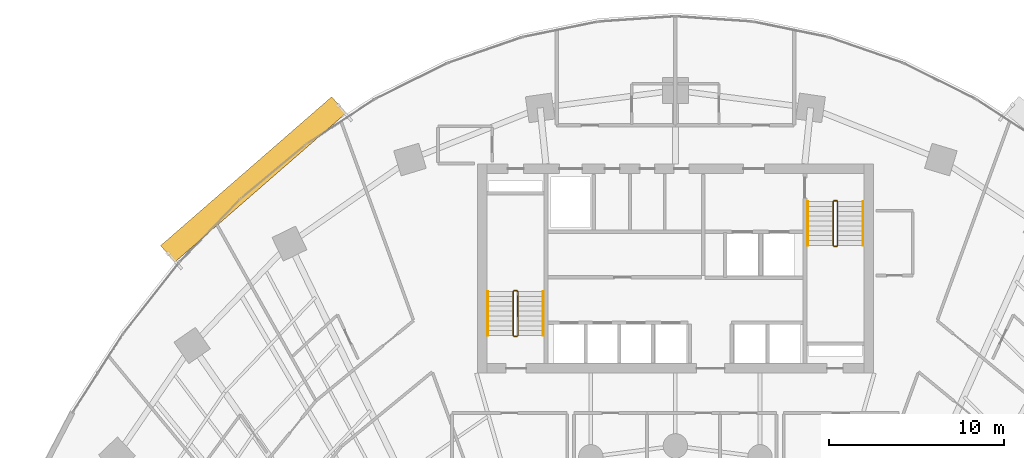
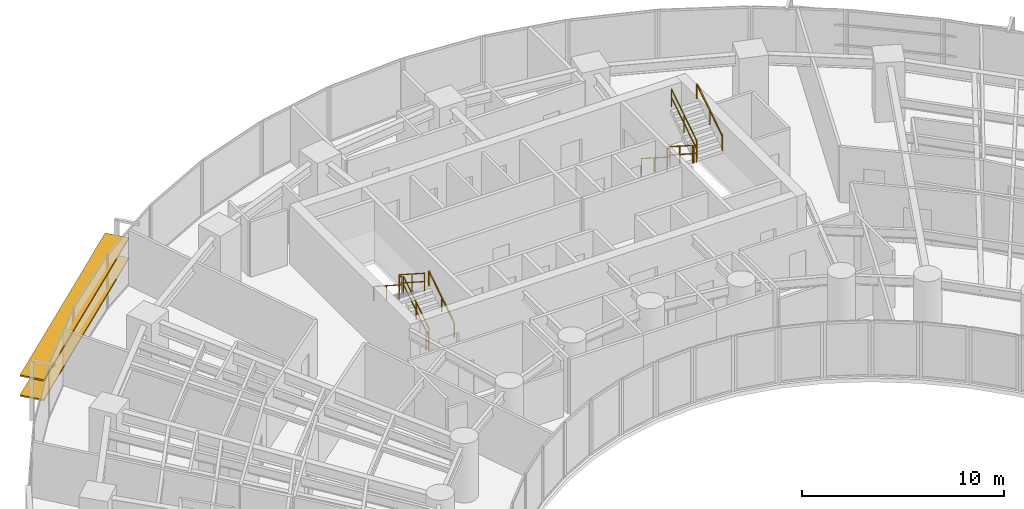
# One storey, part 16 of 17: 12 railings, 2 shading devices.
"""IFC4 building model written with IfcOpenShell, lengths in metres."""

from ifc_helpers import new_model, si_unit, direction, frame, origin, origin_2d, place, context, subcontext, project, spatial, rectangle, extrude, source, transform, mapped, material, material_profile, profile_set, type_object, type_shapes, element, save


model = new_model("IFC4")

# Units and contexts
model_context = context("Model", 3, precision=1e-05, world=origin(), true_north=direction((0.0, 1.0)))
body_context = subcontext(model_context, "Body", "Model", "MODEL_VIEW")
ifc_project = project(units=[si_unit("LENGTHUNIT", "METRE"), si_unit("AREAUNIT", "SQUARE_METRE"), si_unit("VOLUMEUNIT", "CUBIC_METRE"), si_unit("PLANEANGLEUNIT", "RADIAN"), si_unit("MASSUNIT", "GRAM", prefix="KILO")], contexts=[model_context])

# Site, building, storey
site_placement = place(None, origin())
site = spatial("IfcSite", under=ifc_project, at=site_placement, CompositionType="ELEMENT")
building_placement = place(site_placement, origin())
building = spatial("IfcBuilding", under=site, at=building_placement, Name="Breltana Convention Tower", CompositionType="ELEMENT")
storey_placement = place(building_placement, frame((0.0, 0.0, 53.39990234375)))
storey = spatial("IfcBuildingStorey", under=building, at=storey_placement, Name="L11", CompositionType="ELEMENT", Elevation=53.39990234375)

# Railings
ifc_material_1 = material(Name="Steel S275 Painted", Category="steel")
railing_type_1 = type_object("IfcRailingType", Name="RL-STAIR-GUARD-1100", PredefinedType="GUARDRAIL", material=ifc_material_1)
railing_1_placement = place(storey_placement, frame((38.9599609375, 62.360107421875, 0.18017578125)))
element("IfcRailing", 1, at=railing_1_placement, inside=storey, type_object=railing_type_1, Name="L11 ST-1 stair guard 1", PredefinedType="GUARDRAIL", context=body_context, shape_type="SweptSolid", body=[
    extrude(rectangle(XDim=0.048095703125, YDim=0.048095703125, at=origin_2d()), frame((0.0, 0.0, 1.076171875), z_axis=(0.0, 0.841175827307, 0.540761710511), x_axis=(-1.0, 0.0, 0.0)), (0.0, 0.0, 1.0), 2.99560546875),
    extrude(rectangle(XDim=0.048095703125, YDim=0.048095703125, at=origin_2d()), frame((0.0, 0.0, 0.572021484375), z_axis=(0.0, 0.841175827307, 0.540761710511), x_axis=(-1.0, 0.0, 0.0)), (0.0, 0.0, 1.0), 2.99560546875),
    extrude(rectangle(XDim=0.0419921875, YDim=0.0419921875, at=origin_2d()), origin(), (0.0, 0.0, 1.0), 1.052001953125),
    extrude(rectangle(XDim=0.0419921875, YDim=0.0419921875, at=origin_2d()), frame((0.0, 1.259765625, 0.81005859375)), (0.0, 0.0, 1.0), 1.052001953125),
    extrude(rectangle(XDim=0.0419921875, YDim=0.0419921875, at=origin_2d()), frame((0.0, 2.519775390625, 1.619873046875)), (0.0, 0.0, 1.0), 1.052001953125),
])
railing_2_placement = place(storey_placement, frame((38.909912109375, 64.929931640625, 1.800048828125)))
element("IfcRailing", 2, at=railing_2_placement, inside=storey, type_object=railing_type_1, Name="L11 ST-1 stair guard 2", PredefinedType="GUARDRAIL", context=body_context, shape_type="SweptSolid", body=[
    extrude(rectangle(XDim=0.048095703125, YDim=0.048095703125, at=origin_2d()), frame((0.0, 0.0, 1.076171875), z_axis=(-1.0, 0.0, 0.0), x_axis=(0.0, -1.0, 0.0)), (0.0, 0.0, 1.0), 0.14990234375),
    extrude(rectangle(XDim=0.048095703125, YDim=0.048095703125, at=origin_2d()), frame((0.0, 0.0, 0.572021484375), z_axis=(-1.0, 0.0, 0.0), x_axis=(0.0, -1.0, 0.0)), (0.0, 0.0, 1.0), 0.14990234375),
    extrude(rectangle(XDim=0.0419921875, YDim=0.0419921875, at=origin_2d()), origin(), (0.0, 0.0, 1.0), 1.052001953125),
    extrude(rectangle(XDim=0.0419921875, YDim=0.0419921875, at=origin_2d()), frame((-0.14990234375, 0.0, 0.0)), (0.0, 0.0, 1.0), 1.052001953125),
])
railing_3_placement = place(storey_placement, frame((38.7099609375, 64.8798828125, 1.97998046875)))
element("IfcRailing", 3, at=railing_3_placement, inside=storey, type_object=railing_type_1, Name="L11 ST-1 stair guard 3", PredefinedType="GUARDRAIL", context=body_context, shape_type="SweptSolid", body=[
    extrude(rectangle(XDim=0.048095703125, YDim=0.048095703125, at=origin_2d()), frame((0.0, 0.0, 1.076171875), z_axis=(0.0, -0.841138753965, 0.540819375188), x_axis=(1.0, 0.0, 0.0)), (0.0, 0.0, 1.0), 2.99560546875),
    extrude(rectangle(XDim=0.048095703125, YDim=0.048095703125, at=origin_2d()), frame((0.0, 0.0, 0.572021484375), z_axis=(0.0, -0.841138753965, 0.540819375188), x_axis=(1.0, 0.0, 0.0)), (0.0, 0.0, 1.0), 2.99560546875),
    extrude(rectangle(XDim=0.0419921875, YDim=0.0419921875, at=origin_2d()), origin(), (0.0, 0.0, 1.0), 1.052001953125),
    extrude(rectangle(XDim=0.0419921875, YDim=0.0419921875, at=origin_2d()), frame((0.0, -1.259765625, 0.81005859375)), (0.0, 0.0, 1.0), 1.052001953125),
    extrude(rectangle(XDim=0.0419921875, YDim=0.0419921875, at=origin_2d()), frame((0.0, -2.519775390625, 1.6201171875)), (0.0, 0.0, 1.0), 1.052001953125),
])
railing_4_placement = place(storey_placement, frame((38.909912109375, 62.31005859375, 0.0)))
element("IfcRailing", 4, at=railing_4_placement, inside=storey, type_object=railing_type_1, Name="L11 ST-1 stair guard 4", PredefinedType="GUARDRAIL", context=body_context, shape_type="SweptSolid", body=[
    extrude(rectangle(XDim=0.048095703125, YDim=0.048095703125, at=origin_2d()), frame((0.0, 0.0, 1.076171875), z_axis=(-1.0, 0.0, 0.0), x_axis=(0.0, -1.0, 0.0)), (0.0, 0.0, 1.0), 0.14990234375),
    extrude(rectangle(XDim=0.048095703125, YDim=0.048095703125, at=origin_2d()), frame((0.0, 0.0, 0.572021484375), z_axis=(-1.0, 0.0, 0.0), x_axis=(0.0, -1.0, 0.0)), (0.0, 0.0, 1.0), 0.14990234375),
    extrude(rectangle(XDim=0.0419921875, YDim=0.0419921875, at=origin_2d()), origin(), (0.0, 0.0, 1.0), 1.052001953125),
    extrude(rectangle(XDim=0.0419921875, YDim=0.0419921875, at=origin_2d()), frame((-0.14990234375, 0.0, 0.0)), (0.0, 0.0, 1.0), 1.052001953125),
])
railing_5_placement = place(storey_placement, frame((57.0400390625, 70.0400390625, 0.18017578125)))
element("IfcRailing", 5, at=railing_5_placement, inside=storey, type_object=railing_type_1, Name="L11 ST-2 stair guard 1", PredefinedType="GUARDRAIL", context=body_context, shape_type="SweptSolid", body=[
    extrude(rectangle(XDim=0.048095703125, YDim=0.048095703125, at=origin_2d()), frame((0.0, 0.0, 1.076171875), z_axis=(0.0, -0.841199657755, 0.540724639528), x_axis=(1.0, 0.0, 0.0)), (0.0, 0.0, 1.0), 2.995849609375),
    extrude(rectangle(XDim=0.048095703125, YDim=0.048095703125, at=origin_2d()), frame((0.0, 0.0, 0.572021484375), z_axis=(0.0, -0.841199657755, 0.540724639528), x_axis=(1.0, 0.0, 0.0)), (0.0, 0.0, 1.0), 2.995849609375),
    extrude(rectangle(XDim=0.0419921875, YDim=0.0419921875, at=origin_2d()), origin(), (0.0, 0.0, 1.0), 1.052001953125),
    extrude(rectangle(XDim=0.0419921875, YDim=0.0419921875, at=origin_2d()), frame((0.0, -1.260009765625, 0.81005859375)), (0.0, 0.0, 1.0), 1.052001953125),
    extrude(rectangle(XDim=0.0419921875, YDim=0.0419921875, at=origin_2d()), frame((0.0, -2.52001953125, 1.619873046875)), (0.0, 0.0, 1.0), 1.052001953125),
])
railing_6_placement = place(storey_placement, frame((57.090087890625, 67.469970703125, 1.800048828125)))
element("IfcRailing", 6, at=railing_6_placement, inside=storey, type_object=railing_type_1, Name="L11 ST-2 stair guard 2", PredefinedType="GUARDRAIL", context=body_context, shape_type="SweptSolid", body=[
    extrude(rectangle(XDim=0.048095703125, YDim=0.048095703125, at=origin_2d()), frame((0.0, 0.0, 1.076171875), z_axis=(1.0, 0.0, 0.0), x_axis=(0.0, 1.0, 0.0)), (0.0, 0.0, 1.0), 0.14990234375),
    extrude(rectangle(XDim=0.048095703125, YDim=0.048095703125, at=origin_2d()), frame((0.0, 0.0, 0.572021484375), z_axis=(1.0, 0.0, 0.0), x_axis=(0.0, 1.0, 0.0)), (0.0, 0.0, 1.0), 0.14990234375),
    extrude(rectangle(XDim=0.0419921875, YDim=0.0419921875, at=origin_2d()), origin(), (0.0, 0.0, 1.0), 1.052001953125),
    extrude(rectangle(XDim=0.0419921875, YDim=0.0419921875, at=origin_2d()), frame((0.14990234375, 0.0, 0.0)), (0.0, 0.0, 1.0), 1.052001953125),
])
railing_7_placement = place(storey_placement, frame((57.2900390625, 67.52001953125, 1.97998046875)))
element("IfcRailing", 7, at=railing_7_placement, inside=storey, type_object=railing_type_1, Name="L11 ST-2 stair guard 3", PredefinedType="GUARDRAIL", context=body_context, shape_type="SweptSolid", body=[
    extrude(rectangle(XDim=0.048095703125, YDim=0.048095703125, at=origin_2d()), frame((0.0, 0.0, 1.076171875), z_axis=(0.0, 0.841162588446, 0.540782303519), x_axis=(-1.0, 0.0, 0.0)), (0.0, 0.0, 1.0), 2.995849609375),
    extrude(rectangle(XDim=0.048095703125, YDim=0.048095703125, at=origin_2d()), frame((0.0, 0.0, 0.572021484375), z_axis=(0.0, 0.841162588446, 0.540782303519), x_axis=(-1.0, 0.0, 0.0)), (0.0, 0.0, 1.0), 2.995849609375),
    extrude(rectangle(XDim=0.0419921875, YDim=0.0419921875, at=origin_2d()), origin(), (0.0, 0.0, 1.0), 1.052001953125),
    extrude(rectangle(XDim=0.0419921875, YDim=0.0419921875, at=origin_2d()), frame((0.0, 1.260009765625, 0.81005859375)), (0.0, 0.0, 1.0), 1.052001953125),
    extrude(rectangle(XDim=0.0419921875, YDim=0.0419921875, at=origin_2d()), frame((0.0, 2.52001953125, 1.6201171875)), (0.0, 0.0, 1.0), 1.052001953125),
])
railing_8_placement = place(storey_placement, frame((57.090087890625, 70.090087890625, 0.0)))
element("IfcRailing", 8, at=railing_8_placement, inside=storey, type_object=railing_type_1, Name="L11 ST-2 stair guard 4", PredefinedType="GUARDRAIL", context=body_context, shape_type="SweptSolid", body=[
    extrude(rectangle(XDim=0.048095703125, YDim=0.048095703125, at=origin_2d()), frame((0.0, 0.0, 1.076171875), z_axis=(1.0, 0.0, 0.0), x_axis=(0.0, 1.0, 0.0)), (0.0, 0.0, 1.0), 0.14990234375),
    extrude(rectangle(XDim=0.048095703125, YDim=0.048095703125, at=origin_2d()), frame((0.0, 0.0, 0.572021484375), z_axis=(1.0, 0.0, 0.0), x_axis=(0.0, 1.0, 0.0)), (0.0, 0.0, 1.0), 0.14990234375),
    extrude(rectangle(XDim=0.0419921875, YDim=0.0419921875, at=origin_2d()), origin(), (0.0, 0.0, 1.0), 1.052001953125),
    extrude(rectangle(XDim=0.0419921875, YDim=0.0419921875, at=origin_2d()), frame((0.14990234375, 0.0, 0.0)), (0.0, 0.0, 1.0), 1.052001953125),
])
ifc_material_2 = material(Name="Stainless Steel 316L", Category="steel")
railing_type_2 = type_object("IfcRailingType", Name="RL-STAIR-HANDRAIL-900", PredefinedType="HANDRAIL", material=ifc_material_2)
railing_9_placement = place(storey_placement, frame((40.419921875, 62.360107421875, 0.18017578125)))
element("IfcRailing", 9, at=railing_9_placement, inside=storey, type_object=railing_type_2, Name="L11 ST-1 stair handrail 1", PredefinedType="HANDRAIL", context=body_context, shape_type="SweptSolid", body=[
    extrude(rectangle(XDim=0.048095703125, YDim=0.048095703125, at=origin_2d()), frame((0.0, 0.0, 0.8759765625), z_axis=(0.0, 0.841175827307, 0.540761710511), x_axis=(-1.0, 0.0, 0.0)), (0.0, 0.0, 1.0), 2.99560546875),
    extrude(rectangle(XDim=0.0419921875, YDim=0.0419921875, at=origin_2d()), origin(), (0.0, 0.0, 1.0), 0.851806640625),
    extrude(rectangle(XDim=0.0419921875, YDim=0.0419921875, at=origin_2d()), frame((0.0, 1.259765625, 0.81005859375)), (0.0, 0.0, 1.0), 0.851806640625),
    extrude(rectangle(XDim=0.0419921875, YDim=0.0419921875, at=origin_2d()), frame((0.0, 2.519775390625, 1.619873046875)), (0.0, 0.0, 1.0), 0.851806640625),
])
railing_10_placement = place(storey_placement, frame((37.25, 64.8798828125, 1.97998046875)))
element("IfcRailing", 10, at=railing_10_placement, inside=storey, type_object=railing_type_2, Name="L11 ST-1 stair handrail 2", PredefinedType="HANDRAIL", context=body_context, shape_type="SweptSolid", body=[
    extrude(rectangle(XDim=0.048095703125, YDim=0.048095703125, at=origin_2d()), frame((0.0, 0.0, 0.8759765625), z_axis=(0.0, -0.841138753965, 0.540819375188), x_axis=(1.0, 0.0, 0.0)), (0.0, 0.0, 1.0), 2.99560546875),
    extrude(rectangle(XDim=0.0419921875, YDim=0.0419921875, at=origin_2d()), origin(), (0.0, 0.0, 1.0), 0.851806640625),
    extrude(rectangle(XDim=0.0419921875, YDim=0.0419921875, at=origin_2d()), frame((0.0, -1.259765625, 0.81005859375)), (0.0, 0.0, 1.0), 0.851806640625),
    extrude(rectangle(XDim=0.0419921875, YDim=0.0419921875, at=origin_2d()), frame((0.0, -2.519775390625, 1.6201171875)), (0.0, 0.0, 1.0), 0.851806640625),
])
railing_11_placement = place(storey_placement, frame((55.580078125, 70.0400390625, 0.18017578125)))
element("IfcRailing", 11, at=railing_11_placement, inside=storey, type_object=railing_type_2, Name="L11 ST-2 stair handrail 1", PredefinedType="HANDRAIL", context=body_context, shape_type="SweptSolid", body=[
    extrude(rectangle(XDim=0.048095703125, YDim=0.048095703125, at=origin_2d()), frame((0.0, 0.0, 0.8759765625), z_axis=(0.0, -0.841199657755, 0.540724639528), x_axis=(1.0, 0.0, 0.0)), (0.0, 0.0, 1.0), 2.995849609375),
    extrude(rectangle(XDim=0.0419921875, YDim=0.0419921875, at=origin_2d()), origin(), (0.0, 0.0, 1.0), 0.851806640625),
    extrude(rectangle(XDim=0.0419921875, YDim=0.0419921875, at=origin_2d()), frame((0.0, -1.260009765625, 0.81005859375)), (0.0, 0.0, 1.0), 0.851806640625),
    extrude(rectangle(XDim=0.0419921875, YDim=0.0419921875, at=origin_2d()), frame((0.0, -2.52001953125, 1.619873046875)), (0.0, 0.0, 1.0), 0.851806640625),
])
railing_12_placement = place(storey_placement, frame((58.75, 67.52001953125, 1.97998046875)))
element("IfcRailing", 12, at=railing_12_placement, inside=storey, type_object=railing_type_2, Name="L11 ST-2 stair handrail 2", PredefinedType="HANDRAIL", context=body_context, shape_type="SweptSolid", body=[
    extrude(rectangle(XDim=0.048095703125, YDim=0.048095703125, at=origin_2d()), frame((0.0, 0.0, 0.8759765625), z_axis=(0.0, 0.841162588446, 0.540782303519), x_axis=(-1.0, 0.0, 0.0)), (0.0, 0.0, 1.0), 2.995849609375),
    extrude(rectangle(XDim=0.0419921875, YDim=0.0419921875, at=origin_2d()), origin(), (0.0, 0.0, 1.0), 0.851806640625),
    extrude(rectangle(XDim=0.0419921875, YDim=0.0419921875, at=origin_2d()), frame((0.0, 1.260009765625, 0.81005859375)), (0.0, 0.0, 1.0), 0.851806640625),
    extrude(rectangle(XDim=0.0419921875, YDim=0.0419921875, at=origin_2d()), frame((0.0, 2.52001953125, 1.6201171875)), (0.0, 0.0, 1.0), 0.851806640625),
])

# Shading devices
ifc_material_3 = material(Name="Limestone Warm Buff Honed", Category="masonry")
ifc_material_profile = material_profile(ifc_material_3, rectangle(XDim=1.25, YDim=0.090087890625, at=origin_2d()), Name="STN-LVR-1250X90")
ifc_profile_set = profile_set([ifc_material_profile], Name="Limestone Warm Buff Honed")
shading_device_type = type_object("IfcShadingDeviceType", Name="SHD-OUTER-SKIN-LIMESTONE-1250", PredefinedType="JALOUSIE", material=ifc_profile_set)
shared_shape = source(origin(), body_context, "Body", "SweptSolid", [
    extrude(rectangle(XDim=1.25, YDim=0.090087890625, at=origin_2d()), origin(), (0.0, 0.0, 1.0), 12.99462890625),
])
type_shapes(shading_device_type, [shared_shape])
for number, where, z_axis, x_axis, name in (
    (13, (18.9130859375, 67.039794921875, 1.209716796875), (0.754353477941, 0.656468453407, 0.0), (-0.656468453407, 0.754353477941, 0.0), "L11 outer skin warm limestone louvre 1.1"),
    (14, (18.9130859375, 67.039794921875, 2.419189453125), (0.754353477941, 0.656468453407, 0.0), (-0.656468453407, 0.754353477941, 0.0), "L11 outer skin warm limestone louvre 1.2"),
):
    element("IfcShadingDevice", number, at=place(storey_placement, frame(where, z_axis=z_axis, x_axis=x_axis)), inside=storey, type_object=shading_device_type, Name=name, PredefinedType="JALOUSIE", context=body_context, shape_type="MappedRepresentation", body=[
        mapped(shared_shape, transform((0.0, 0.0, 0.0), scale=1.0)),
    ])

save(model, "model.ifc")
